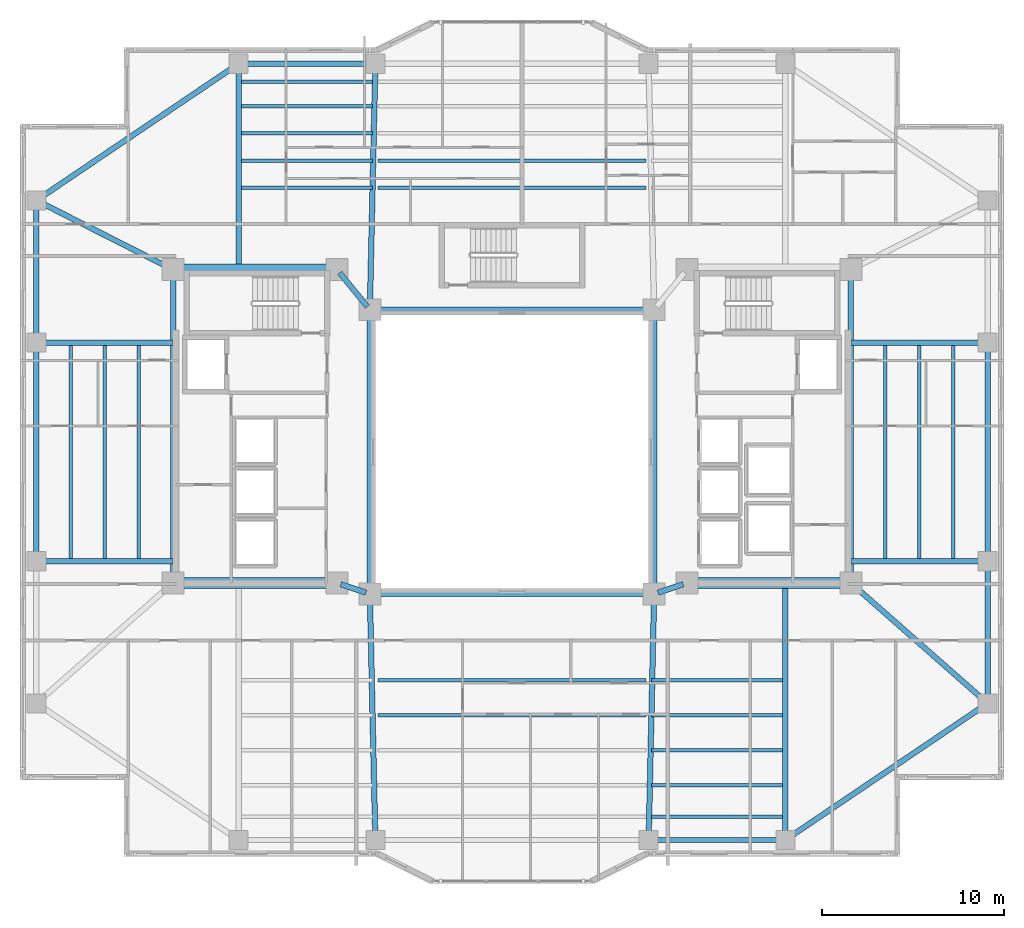
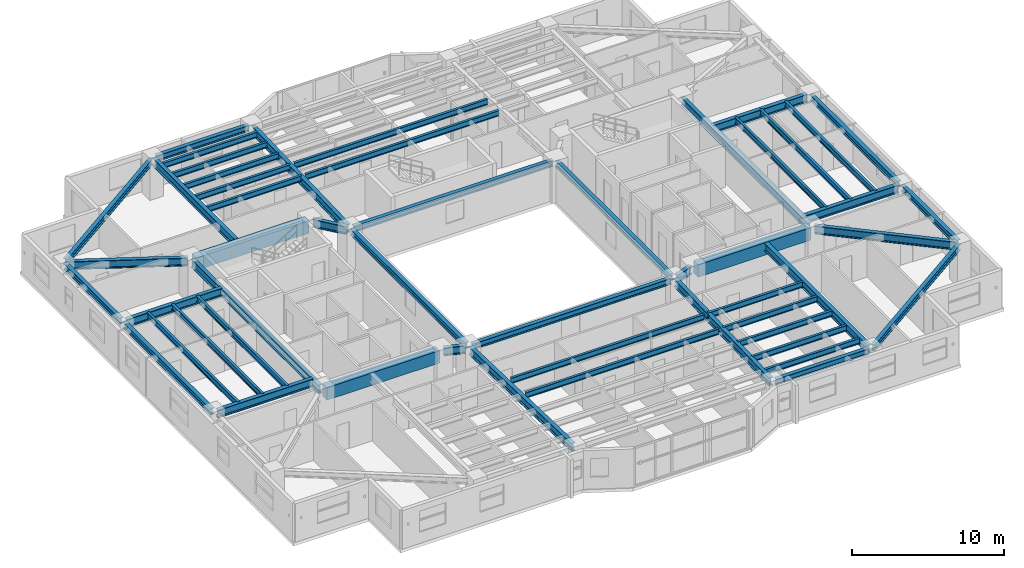
# One storey, part 3 of 18: 51 beams.
"""IFC4 building model written with IfcOpenShell, lengths in metres."""

from ifc_helpers import new_model, si_unit, direction, frame, origin, origin_2d, place, context, subcontext, project, spatial, rectangle, i_section, extrude, material, material_profile, profile_set, type_object, element, save


model = new_model("IFC4")

# Units and contexts
model_context = context("Model", 3, precision=1e-05, world=origin(), true_north=direction((0.0, 1.0)))
body_context = subcontext(model_context, "Body", "Model", "MODEL_VIEW")
ifc_project = project(units=[si_unit("LENGTHUNIT", "METRE"), si_unit("AREAUNIT", "SQUARE_METRE"), si_unit("VOLUMEUNIT", "CUBIC_METRE"), si_unit("PLANEANGLEUNIT", "RADIAN"), si_unit("MASSUNIT", "GRAM", prefix="KILO")], contexts=[model_context])

# Site, building, storey
site_placement = place(None, origin())
site = spatial("IfcSite", under=ifc_project, at=site_placement, CompositionType="ELEMENT")
building_placement = place(site_placement, origin())
building = spatial("IfcBuilding", under=site, at=building_placement, Name="Tarnavaz Court Tower", CompositionType="ELEMENT")
storey_placement = place(building_placement, frame((0.0, 0.0, 95.050048828125)))
storey = spatial("IfcBuildingStorey", under=building, at=storey_placement, Name="L25", CompositionType="ELEMENT", Elevation=95.050048828125)

# Beams
ifc_material_1 = material(Name="Concrete C60/75", Category="concrete")
ifc_material_profile_1 = material_profile(ifc_material_1, rectangle(XDim=0.60009765625, YDim=1.0, at=origin_2d()), Name="RC 600X1000")
ifc_profile_set_1 = profile_set([ifc_material_profile_1], Name="Concrete C60/75")
beam_type_1 = type_object("IfcBeamType", Name="BM-CB1000", PredefinedType="LINTEL", material=ifc_profile_set_1)
for number, where, z_axis, x_axis, name in (
    (1, (-18.3798828125, -7.199951171875, 2.599853515625), (1.0, 0.0, 0.0), (0.0, 1.0, 0.0), "L25 Beam IN-CW-SO-CW-SI"),
    (2, (-18.3798828125, 10.0, 2.599853515625), (1.0, 0.0, 0.0), (0.0, 1.0, 0.0), "L25 Beam IN-CW-NO-CW-NI"),
    (3, (18.3798828125, -7.199951171875, 2.599853515625), (-1.0, 0.0, 0.0), (0.0, -1.0, 0.0), "L25 Beam IN-CE-SO-CE-SI"),
):
    element("IfcBeam", number, at=place(storey_placement, frame(where, z_axis=z_axis, x_axis=x_axis)), inside=storey, type_object=beam_type_1, Name=name, PredefinedType="LINTEL", context=body_context, shape_type="SweptSolid", body=[
        extrude(rectangle(XDim=0.60009765625, YDim=1.0, at=origin_2d()), origin(), (0.0, 0.0, 1.0), 8.559814453125),
    ])
ifc_material_2 = material(Name="Steel S355", Category="steel")
ifc_material_profile_2 = material_profile(ifc_material_2, i_section(OverallWidth=0.300048828125, OverallDepth=0.64990234375, WebThickness=0.01611328125, FlangeThickness=0.031005859375, FilletRadius=0.027099609375, at=origin_2d()), Name="HEB 650")
ifc_profile_set_2 = profile_set([ifc_material_profile_2], Name="Steel S355")
beam_type_2 = type_object("IfcBeamType", Name="BM-G-HEB650", PredefinedType="USERDEFINED", material=ifc_profile_set_2)
for number, where, z_axis, x_axis, name in (
    (4, (-9.391357421875, -7.26953125, 2.77490234375), (0.948666544706, -0.316278021615, 0.0), (0.316278021615, 0.948666544706, 0.0), "L25 Beam IN-CW-SI-IW-SW"),
    (5, (9.391357421875, -7.26953125, 2.77490234375), (-0.948666544706, -0.316278021615, 0.0), (0.316278021615, -0.948666544706, 0.0), "L25 Beam IN-CE-SI-IW-SE"),
):
    element("IfcBeam", number, at=place(storey_placement, frame(where, z_axis=z_axis, x_axis=x_axis)), inside=storey, type_object=beam_type_2, Name=name, ObjectType="GIRDER", PredefinedType="USERDEFINED", context=body_context, shape_type="SweptSolid", body=[
        extrude(i_section(OverallWidth=0.300048828125, OverallDepth=0.64990234375, WebThickness=0.01611328125, FlangeThickness=0.031005859375, FilletRadius=0.027099609375, at=origin_2d()), origin(), (0.0, 0.0, 1.0), 1.457275390625),
    ])
beam_1_placement = place(storey_placement, frame((-9.460693359375, 9.82958984375, 2.77490234375), z_axis=(0.633282058357, -0.773921077735, 0.0), x_axis=(0.773921077735, 0.633282058357, 0.0)))
element("IfcBeam", 6, at=beam_1_placement, inside=storey, type_object=beam_type_2, Name="L25 Beam IN-CW-NI-IW-NW", ObjectType="GIRDER", PredefinedType="USERDEFINED", context=body_context, shape_type="SweptSolid", body=[
    extrude(i_section(OverallWidth=0.300048828125, OverallDepth=0.64990234375, WebThickness=0.01611328125, FlangeThickness=0.031005859375, FilletRadius=0.027099609375, at=origin_2d()), origin(), (0.0, 0.0, 1.0), 2.402587890625),
])
for number, where, z_axis, x_axis, name in (
    (7, (-18.60009765625, -6.97998046875, 2.77490234375), (0.0, 1.0, 0.0), (-1.0, 0.0, 0.0), "L25 Beam IN-CW-SO-CW-NO"),
    (8, (18.60009765625, -6.97998046875, 2.77490234375), (0.0, 1.0, 0.0), (-1.0, 0.0, 0.0), "L25 Beam IN-CE-SO-CE-NO"),
):
    element("IfcBeam", number, at=place(storey_placement, frame(where, z_axis=z_axis, x_axis=x_axis)), inside=storey, type_object=beam_type_2, Name=name, ObjectType="GIRDER", PredefinedType="USERDEFINED", context=body_context, shape_type="SweptSolid", body=[
        extrude(i_section(OverallWidth=0.300048828125, OverallDepth=0.64990234375, WebThickness=0.01611328125, FlangeThickness=0.031005859375, FilletRadius=0.027099609375, at=origin_2d()), origin(), (0.0, 0.0, 1.0), 16.760009765625),
    ])
beam_2_placement = place(storey_placement, frame((-15.0, 10.0400390625, 2.77490234375), z_axis=(0.0, 1.0, 0.0), x_axis=(-1.0, 0.0, 0.0)))
element("IfcBeam", 9, at=beam_2_placement, inside=storey, type_object=beam_type_2, Name="L25 Beam RG-01", ObjectType="GIRDER", PredefinedType="USERDEFINED", context=body_context, shape_type="SweptSolid", body=[
    extrude(i_section(OverallWidth=0.300048828125, OverallDepth=0.64990234375, WebThickness=0.01611328125, FlangeThickness=0.031005859375, FilletRadius=0.027099609375, at=origin_2d()), origin(), (0.0, 0.0, 1.0), 11.0400390625),
])
for number, where, z_axis, x_axis, name in (
    (10, (-7.795166015625, 8.02001953125, 2.77490234375), (0.022221303469, 0.99975307635, 0.0), (-0.99975307635, 0.022221303469, 0.0), "L25 Beam RG-02"),
    (11, (-7.795166015625, -8.02001953125, 2.77490234375), (0.022221303469, -0.99975307635, 0.0), (0.99975307635, 0.022221303469, 0.0), "L25 Beam RG-06"),
    (12, (7.795166015625, -8.02001953125, 2.77490234375), (-0.022221303469, -0.99975307635, 0.0), (0.99975307635, -0.022221303469, 0.0), "L25 Beam RG-07"),
):
    element("IfcBeam", number, at=place(storey_placement, frame(where, z_axis=z_axis, x_axis=x_axis)), inside=storey, type_object=beam_type_2, Name=name, ObjectType="GIRDER", PredefinedType="USERDEFINED", context=body_context, shape_type="SweptSolid", body=[
        extrude(i_section(OverallWidth=0.300048828125, OverallDepth=0.64990234375, WebThickness=0.01611328125, FlangeThickness=0.031005859375, FilletRadius=0.027099609375, at=origin_2d()), origin(), (0.0, 0.0, 1.0), 13.063232421875),
    ])
beam_3_placement = place(storey_placement, frame((15.0, -7.239990234375, 2.77490234375), z_axis=(0.0, -1.0, 0.0), x_axis=(1.0, 0.0, 0.0)))
element("IfcBeam", 13, at=beam_3_placement, inside=storey, type_object=beam_type_2, Name="L25 Beam RG-08", ObjectType="GIRDER", PredefinedType="USERDEFINED", context=body_context, shape_type="SweptSolid", body=[
    extrude(i_section(OverallWidth=0.300048828125, OverallDepth=0.64990234375, WebThickness=0.01611328125, FlangeThickness=0.031005859375, FilletRadius=0.027099609375, at=origin_2d()), origin(), (0.0, 0.0, 1.0), 13.840087890625),
])
for number, where, z_axis, x_axis, name in (
    (14, (18.639892578125, -6.0, 2.77490234375), (1.0, 0.0, 0.0), (0.0, 1.0, 0.0), "L25 Beam RG-09"),
    (15, (18.639892578125, 6.0, 2.77490234375), (1.0, 0.0, 0.0), (0.0, 1.0, 0.0), "L25 Beam RG-10"),
):
    element("IfcBeam", number, at=place(storey_placement, frame(where, z_axis=z_axis, x_axis=x_axis)), inside=storey, type_object=beam_type_2, Name=name, ObjectType="GIRDER", PredefinedType="USERDEFINED", context=body_context, shape_type="SweptSolid", body=[
        extrude(i_section(OverallWidth=0.300048828125, OverallDepth=0.64990234375, WebThickness=0.01611328125, FlangeThickness=0.031005859375, FilletRadius=0.027099609375, at=origin_2d()), origin(), (0.0, 0.0, 1.0), 7.239990234375),
    ])
beam_4_placement = place(storey_placement, frame((18.76513671875, -7.34521484375, 2.77490234375), z_axis=(0.750700332035, -0.660642877417, 0.0), x_axis=(0.660642877417, 0.750700332035, 0.0)))
element("IfcBeam", 16, at=beam_4_placement, inside=storey, type_object=beam_type_2, Name="L25 Beam RG-11", ObjectType="GIRDER", PredefinedType="USERDEFINED", context=body_context, shape_type="SweptSolid", body=[
    extrude(i_section(OverallWidth=0.300048828125, OverallDepth=0.64990234375, WebThickness=0.01611328125, FlangeThickness=0.031005859375, FilletRadius=0.027099609375, at=origin_2d()), origin(), (0.0, 0.0, 1.0), 9.550537109375),
])
for number, where, z_axis, x_axis, name in (
    (17, (-18.639892578125, -6.0, 2.77490234375), (-1.0, 0.0, 0.0), (0.0, -1.0, 0.0), "L25 Beam RG-13"),
    (18, (-18.639892578125, 6.0, 2.77490234375), (-1.0, 0.0, 0.0), (0.0, -1.0, 0.0), "L25 Beam RG-14"),
):
    element("IfcBeam", number, at=place(storey_placement, frame(where, z_axis=z_axis, x_axis=x_axis)), inside=storey, type_object=beam_type_2, Name=name, ObjectType="GIRDER", PredefinedType="USERDEFINED", context=body_context, shape_type="SweptSolid", body=[
        extrude(i_section(OverallWidth=0.300048828125, OverallDepth=0.64990234375, WebThickness=0.01611328125, FlangeThickness=0.031005859375, FilletRadius=0.027099609375, at=origin_2d()), origin(), (0.0, 0.0, 1.0), 7.239990234375),
    ])
beam_5_placement = place(storey_placement, frame((-18.796142578125, 10.099365234375, 2.77490234375), z_axis=(-0.892030669981, 0.451974870776, 0.0), x_axis=(-0.451974870776, -0.892030669981, 0.0)))
element("IfcBeam", 19, at=beam_5_placement, inside=storey, type_object=beam_type_2, Name="L25 Beam RG-16", ObjectType="GIRDER", PredefinedType="USERDEFINED", context=body_context, shape_type="SweptSolid", body=[
    extrude(i_section(OverallWidth=0.300048828125, OverallDepth=0.64990234375, WebThickness=0.01611328125, FlangeThickness=0.031005859375, FilletRadius=0.027099609375, at=origin_2d()), origin(), (0.0, 0.0, 1.0), 7.968017578125),
])
ifc_material_profile_3 = material_profile(ifc_material_2, i_section(OverallWidth=0.18994140625, OverallDepth=0.449951171875, WebThickness=0.009521484375, FlangeThickness=0.0146484375, FilletRadius=0.02099609375, at=origin_2d()), Name="IPE 450")
ifc_profile_set_3 = profile_set([ifc_material_profile_3], Name="Steel S355")
beam_type_3 = type_object("IfcBeamType", Name="BM-J-IPE450", PredefinedType="JOIST", material=ifc_profile_set_3)
beam_6_placement = place(storey_placement, frame((-14.85009765625, 14.493896484375, 2.875), z_axis=(1.0, 0.0, 0.0), x_axis=(0.0, 1.0, 0.0)))
element("IfcBeam", 20, at=beam_6_placement, inside=storey, type_object=beam_type_3, Name="L25 Beam JN1-1", PredefinedType="JOIST", context=body_context, shape_type="SweptSolid", body=[
    extrude(i_section(OverallWidth=0.18994140625, OverallDepth=0.449951171875, WebThickness=0.009521484375, FlangeThickness=0.0146484375, FilletRadius=0.02099609375, at=origin_2d()), origin(), (0.0, 0.0, 1.0), 7.2001953125),
])
for number, where, z_axis, x_axis, name in (
    (21, (-7.35009765625, 14.493896484375, 2.875), (1.0, 0.0, 0.0), (0.0, 1.0, 0.0), "L25 Beam JN1-2"),
    (22, (-7.35009765625, -12.52587890625, 2.875), (1.0, 0.0, 0.0), (0.0, 1.0, 0.0), "L25 Beam JS1-2"),
):
    element("IfcBeam", number, at=place(storey_placement, frame(where, z_axis=z_axis, x_axis=x_axis)), inside=storey, type_object=beam_type_3, Name=name, PredefinedType="JOIST", context=body_context, shape_type="SweptSolid", body=[
        extrude(i_section(OverallWidth=0.18994140625, OverallDepth=0.449951171875, WebThickness=0.009521484375, FlangeThickness=0.0146484375, FilletRadius=0.02099609375, at=origin_2d()), origin(), (0.0, 0.0, 1.0), 14.7001953125),
    ])
for number, where, z_axis, x_axis, name in (
    (23, (7.64990234375, -12.52587890625, 2.875), (1.0, 0.0, 0.0), (0.0, 1.0, 0.0), "L25 Beam JS1-3"),
    (24, (-14.85009765625, 15.988037109375, 2.875), (1.0, 0.0, 0.0), (0.0, 1.0, 0.0), "L25 Beam JN2-1"),
):
    element("IfcBeam", number, at=place(storey_placement, frame(where, z_axis=z_axis, x_axis=x_axis)), inside=storey, type_object=beam_type_3, Name=name, PredefinedType="JOIST", context=body_context, shape_type="SweptSolid", body=[
        extrude(i_section(OverallWidth=0.18994140625, OverallDepth=0.449951171875, WebThickness=0.009521484375, FlangeThickness=0.0146484375, FilletRadius=0.02099609375, at=origin_2d()), origin(), (0.0, 0.0, 1.0), 7.2001953125),
    ])
for number, where, z_axis, x_axis, name in (
    (25, (-7.35009765625, 15.988037109375, 2.875), (1.0, 0.0, 0.0), (0.0, 1.0, 0.0), "L25 Beam JN2-2"),
    (26, (-7.35009765625, -14.451904296875, 2.875), (1.0, 0.0, 0.0), (0.0, 1.0, 0.0), "L25 Beam JS2-2"),
):
    element("IfcBeam", number, at=place(storey_placement, frame(where, z_axis=z_axis, x_axis=x_axis)), inside=storey, type_object=beam_type_3, Name=name, PredefinedType="JOIST", context=body_context, shape_type="SweptSolid", body=[
        extrude(i_section(OverallWidth=0.18994140625, OverallDepth=0.449951171875, WebThickness=0.009521484375, FlangeThickness=0.0146484375, FilletRadius=0.02099609375, at=origin_2d()), origin(), (0.0, 0.0, 1.0), 14.7001953125),
    ])
for number, where, z_axis, x_axis, name in (
    (27, (7.64990234375, -14.451904296875, 2.875), (1.0, 0.0, 0.0), (0.0, 1.0, 0.0), "L25 Beam JS2-3"),
    (28, (-14.85009765625, 17.48193359375, 2.875), (1.0, 0.0, 0.0), (0.0, 1.0, 0.0), "L25 Beam JN3-1"),
    (29, (7.64990234375, -16.3779296875, 2.875), (1.0, 0.0, 0.0), (0.0, 1.0, 0.0), "L25 Beam JS3-3"),
    (30, (-14.85009765625, 18.97607421875, 2.875), (1.0, 0.0, 0.0), (0.0, 1.0, 0.0), "L25 Beam JN4-1"),
    (31, (7.64990234375, -18.303955078125, 2.875), (1.0, 0.0, 0.0), (0.0, 1.0, 0.0), "L25 Beam JS4-3"),
    (32, (-14.85009765625, 20.303955078125, 2.875), (1.0, 0.0, 0.0), (0.0, 1.0, 0.0), "L25 Beam JN5-1"),
    (33, (7.64990234375, -20.01611328125, 2.875), (1.0, 0.0, 0.0), (0.0, 1.0, 0.0), "L25 Beam JS5-3"),
):
    element("IfcBeam", number, at=place(storey_placement, frame(where, z_axis=z_axis, x_axis=x_axis)), inside=storey, type_object=beam_type_3, Name=name, PredefinedType="JOIST", context=body_context, shape_type="SweptSolid", body=[
        extrude(i_section(OverallWidth=0.18994140625, OverallDepth=0.449951171875, WebThickness=0.009521484375, FlangeThickness=0.0146484375, FilletRadius=0.02099609375, at=origin_2d()), origin(), (0.0, 0.0, 1.0), 7.2001953125),
    ])
for number, where, z_axis, x_axis, name in (
    (34, (20.47509765625, -5.9599609375, 2.875), (0.0, 1.0, 0.0), (-1.0, 0.0, 0.0), "L25 Beam JE1"),
    (35, (-20.47509765625, -5.9599609375, 2.875), (0.0, 1.0, 0.0), (-1.0, 0.0, 0.0), "L25 Beam JW1"),
    (36, (22.35009765625, -5.9599609375, 2.875), (0.0, 1.0, 0.0), (-1.0, 0.0, 0.0), "L25 Beam JE2"),
    (37, (-22.35009765625, -5.9599609375, 2.875), (0.0, 1.0, 0.0), (-1.0, 0.0, 0.0), "L25 Beam JW2"),
    (38, (24.22509765625, -5.9599609375, 2.875), (0.0, 1.0, 0.0), (-1.0, 0.0, 0.0), "L25 Beam JE3"),
    (39, (-24.22509765625, -5.9599609375, 2.875), (0.0, 1.0, 0.0), (-1.0, 0.0, 0.0), "L25 Beam JW3"),
):
    element("IfcBeam", number, at=place(storey_placement, frame(where, z_axis=z_axis, x_axis=x_axis)), inside=storey, type_object=beam_type_3, Name=name, PredefinedType="JOIST", context=body_context, shape_type="SweptSolid", body=[
        extrude(i_section(OverallWidth=0.18994140625, OverallDepth=0.449951171875, WebThickness=0.009521484375, FlangeThickness=0.0146484375, FilletRadius=0.02099609375, at=origin_2d()), origin(), (0.0, 0.0, 1.0), 11.919921875),
    ])
ifc_material_profile_4 = material_profile(ifc_material_2, i_section(OverallWidth=0.300048828125, OverallDepth=0.489990234375, WebThickness=0.011962890625, FlangeThickness=0.02294921875, FilletRadius=0.027099609375, at=origin_2d()), Name="HEA 500")
ifc_profile_set_4 = profile_set([ifc_material_profile_4], Name="Steel S355")
beam_type_4 = type_object("IfcBeamType", Name="BM-SP-HEA500", PredefinedType="SPANDREL", material=ifc_profile_set_4)
for number, where, z_axis, x_axis, name in (
    (40, (-7.580078125, -7.800048828125, 2.85498046875), (1.0, 0.0, 0.0), (0.0, 1.0, 0.0), "L25 Beam IN-IW-SW-IW-SE"),
    (41, (-7.580078125, 7.800048828125, 2.85498046875), (1.0, 0.0, 0.0), (0.0, 1.0, 0.0), "L25 Beam IN-IW-NW-IW-NE"),
    (42, (-7.800048828125, -7.580078125, 2.85498046875), (0.0, 1.0, 0.0), (-1.0, 0.0, 0.0), "L25 Beam IN-IW-SW-IW-NW"),
    (43, (7.800048828125, -7.580078125, 2.85498046875), (0.0, 1.0, 0.0), (-1.0, 0.0, 0.0), "L25 Beam IN-IW-SE-IW-NE"),
):
    element("IfcBeam", number, at=place(storey_placement, frame(where, z_axis=z_axis, x_axis=x_axis)), inside=storey, type_object=beam_type_4, Name=name, PredefinedType="SPANDREL", context=body_context, shape_type="SweptSolid", body=[
        extrude(i_section(OverallWidth=0.300048828125, OverallDepth=0.489990234375, WebThickness=0.011962890625, FlangeThickness=0.02294921875, FilletRadius=0.027099609375, at=origin_2d()), origin(), (0.0, 0.0, 1.0), 15.16015625),
    ])
for number, where, z_axis, x_axis, name in (
    (44, (-14.780029296875, 21.300048828125, 2.85498046875), (1.0, 0.0, 0.0), (0.0, 1.0, 0.0), "L25 Beam PR-PN-1-PN-2"),
    (45, (7.719970703125, -21.300048828125, 2.85498046875), (1.0, 0.0, 0.0), (0.0, 1.0, 0.0), "L25 Beam PR-PS-3-PS-4"),
):
    element("IfcBeam", number, at=place(storey_placement, frame(where, z_axis=z_axis, x_axis=x_axis)), inside=storey, type_object=beam_type_4, Name=name, PredefinedType="SPANDREL", context=body_context, shape_type="SweptSolid", body=[
        extrude(i_section(OverallWidth=0.300048828125, OverallDepth=0.489990234375, WebThickness=0.011962890625, FlangeThickness=0.02294921875, FilletRadius=0.027099609375, at=origin_2d()), origin(), (0.0, 0.0, 1.0), 7.06005859375),
    ])
beam_7_placement = place(storey_placement, frame((26.10009765625, -13.580078125, 2.85498046875), z_axis=(0.0, 1.0, 0.0), x_axis=(-1.0, 0.0, 0.0)))
element("IfcBeam", 46, at=beam_7_placement, inside=storey, type_object=beam_type_4, Name="L25 Beam PR-PE-1-PE-2", PredefinedType="SPANDREL", context=body_context, shape_type="SweptSolid", body=[
    extrude(i_section(OverallWidth=0.300048828125, OverallDepth=0.489990234375, WebThickness=0.011962890625, FlangeThickness=0.02294921875, FilletRadius=0.027099609375, at=origin_2d()), origin(), (0.0, 0.0, 1.0), 7.360107421875),
])
for number, where, z_axis, x_axis, name in (
    (47, (26.10009765625, -5.780029296875, 2.85498046875), (0.0, 1.0, 0.0), (-1.0, 0.0, 0.0), "L25 Beam PR-PE-2-PE-3"),
    (48, (-26.10009765625, -5.780029296875, 2.85498046875), (0.0, 1.0, 0.0), (-1.0, 0.0, 0.0), "L25 Beam PR-PW-2-PW-3"),
):
    element("IfcBeam", number, at=place(storey_placement, frame(where, z_axis=z_axis, x_axis=x_axis)), inside=storey, type_object=beam_type_4, Name=name, PredefinedType="SPANDREL", context=body_context, shape_type="SweptSolid", body=[
        extrude(i_section(OverallWidth=0.300048828125, OverallDepth=0.489990234375, WebThickness=0.011962890625, FlangeThickness=0.02294921875, FilletRadius=0.027099609375, at=origin_2d()), origin(), (0.0, 0.0, 1.0), 11.56005859375),
    ])
beam_8_placement = place(storey_placement, frame((-26.10009765625, 6.219970703125, 2.85498046875), z_axis=(0.0, 1.0, 0.0), x_axis=(-1.0, 0.0, 0.0)))
element("IfcBeam", 49, at=beam_8_placement, inside=storey, type_object=beam_type_4, Name="L25 Beam PR-PW-3-PW-4", PredefinedType="SPANDREL", context=body_context, shape_type="SweptSolid", body=[
    extrude(i_section(OverallWidth=0.300048828125, OverallDepth=0.489990234375, WebThickness=0.011962890625, FlangeThickness=0.02294921875, FilletRadius=0.027099609375, at=origin_2d()), origin(), (0.0, 0.0, 1.0), 7.360107421875),
])
for number, where, z_axis, x_axis, name in (
    (50, (25.917724609375, -13.923095703125, 2.85498046875), (-0.828587314918, -0.559859858854, 0.0), (0.559859858854, -0.828587314918, 0.0), "L25 Beam PR-PE-1-PS-4"),
    (51, (-25.917724609375, 13.923095703125, 2.85498046875), (0.828587314918, 0.559859858854, 0.0), (-0.559859858854, 0.828587314918, 0.0), "L25 Beam PR-PW-4-PN-1"),
):
    element("IfcBeam", number, at=place(storey_placement, frame(where, z_axis=z_axis, x_axis=x_axis)), inside=storey, type_object=beam_type_4, Name=name, PredefinedType="SPANDREL", context=body_context, shape_type="SweptSolid", body=[
        extrude(i_section(OverallWidth=0.300048828125, OverallDepth=0.489990234375, WebThickness=0.011962890625, FlangeThickness=0.02294921875, FilletRadius=0.027099609375, at=origin_2d()), origin(), (0.0, 0.0, 1.0), 12.956298828125),
    ])

save(model, "model.ifc")
